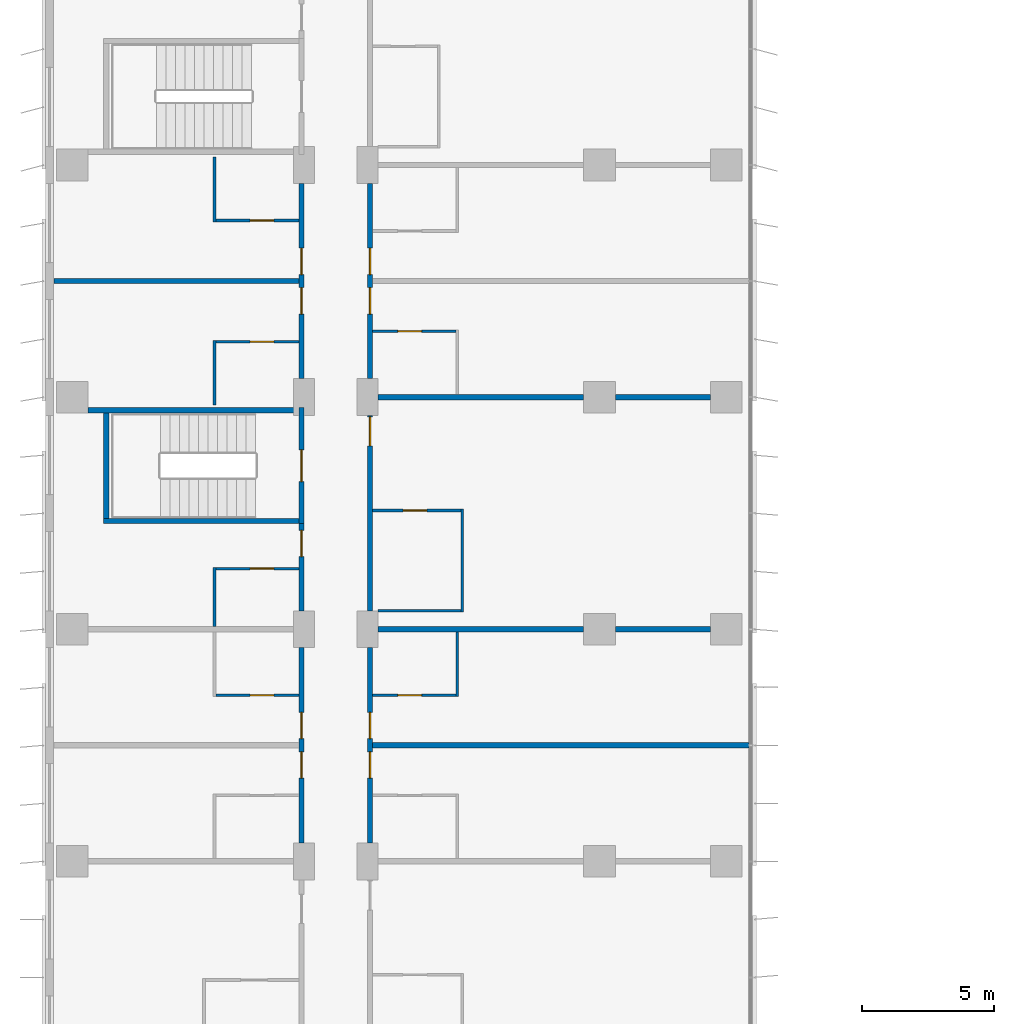
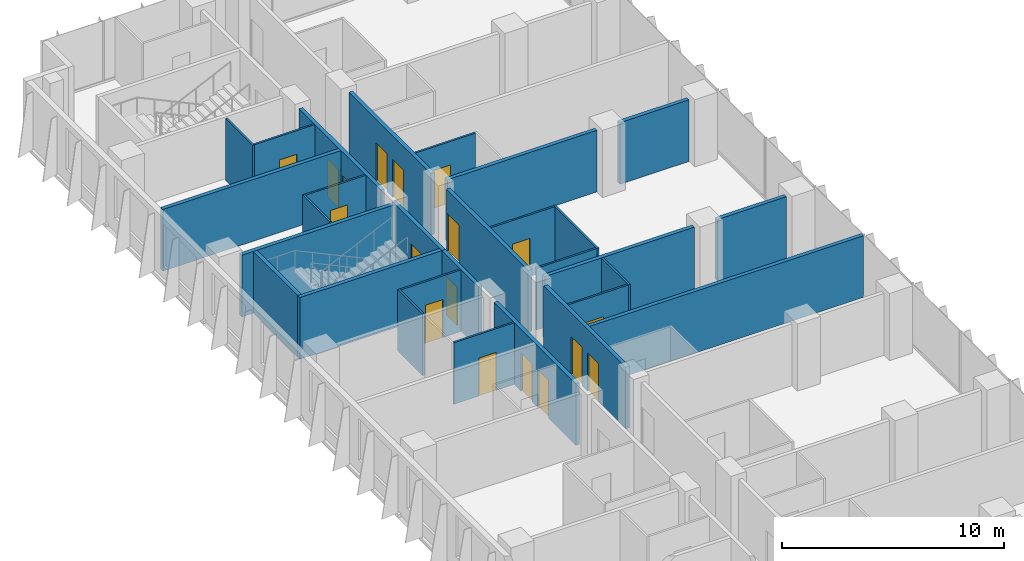
# One storey, part 17 of 23: 29 walls, 18 doors, 18 openings.
"""IFC4 building model written with IfcOpenShell, lengths in metres."""

from ifc_helpers import new_model, si_unit, direction, frame, frame_2d, origin, place, context, subcontext, project, spatial, rectangle, extrude, material, layer, layer_set, type_object, element, fill, save


model = new_model("IFC4")

# Units and contexts
model_context = context("Model", 3, precision=1e-05, world=origin(), true_north=direction((0.0, 1.0)))
body_context = subcontext(model_context, "Body", "Model", "MODEL_VIEW")
ifc_project = project(units=[si_unit("LENGTHUNIT", "METRE"), si_unit("AREAUNIT", "SQUARE_METRE"), si_unit("VOLUMEUNIT", "CUBIC_METRE"), si_unit("PLANEANGLEUNIT", "RADIAN"), si_unit("MASSUNIT", "GRAM", prefix="KILO")], contexts=[model_context])

# Site, building, storey
site_placement = place(None, origin())
site = spatial("IfcSite", under=ifc_project, at=site_placement, CompositionType="ELEMENT")
building_placement = place(site_placement, origin())
building = spatial("IfcBuilding", under=site, at=building_placement, Name="Kemantara Hotel Tower", CompositionType="ELEMENT")
storey_placement = place(building_placement, frame((0.0, 0.0, 118.5)))
storey = spatial("IfcBuildingStorey", under=building, at=storey_placement, Name="L28", CompositionType="ELEMENT", Elevation=118.5)

# Wall, openings, doors
ifc_material_1 = material(Name="Gypsum board partition, steel studs and mineral wool, 200 mm", Category="steel")
ifc_layer_1 = layer(ifc_material_1, 0.199951171875)
ifc_layer_set_1 = layer_set([ifc_layer_1], Name="Gypsum board partition, steel studs and mineral wool, 200 mm")
wall_type_1 = type_object("IfcWallType", Name="CORRIDOR WALL 200", PredefinedType="PARTITIONING", material=ifc_layer_set_1)
wall_1_placement = place(storey_placement, frame((9.699951171875, 45.7001953125, 0.0), z_axis=(0.0, 0.0, 1.0), x_axis=(0.0, 1.0, 0.0)))
wall_1 = element("IfcWall", 1, at=wall_1_placement, inside=storey, type_object=wall_type_1, Name="CORRIDOR WALL 200 023", PredefinedType="PARTITIONING", context=body_context, shape_type="SweptSolid", body=[
    extrude(rectangle(XDim=7.399658203125, YDim=0.199951171875, at=frame_2d((3.69970703125, 0.0))), origin(), (0.0, 0.0, 1.0), 3.39990234375),
])
opening_1_placement = place(wall_1_placement, frame((2.449951171875, 0.0, 0.0)))
opening_1 = element("IfcOpeningElement", 2, at=opening_1_placement, cuts=wall_1, Name="Opening F12-033", PredefinedType="OPENING", context=body_context, shape_type="SweptSolid", body=[
    extrude(rectangle(XDim=1.0, YDim=2.10009765625, at=frame_2d((0.5, 1.050048828125))), frame((0.0, 0.10986328125, 0.0), z_axis=(0.0, -1.0, 0.0), x_axis=(1.0, 0.0, 0.0)), (0.0, 0.0, 1.0), 0.219970703125),
])
opening_2_placement = place(wall_1_placement, frame((3.949951171875, 0.0, 0.0)))
opening_2 = element("IfcOpeningElement", 3, at=opening_2_placement, cuts=wall_1, Name="Opening F12-035", PredefinedType="OPENING", context=body_context, shape_type="SweptSolid", body=[
    extrude(rectangle(XDim=1.0, YDim=2.10009765625, at=frame_2d((0.5, 1.050048828125))), frame((0.0, 0.10986328125, 0.0), z_axis=(0.0, -1.0, 0.0), x_axis=(1.0, 0.0, 0.0)), (0.0, 0.0, 1.0), 0.219970703125),
])
ifc_material_2 = material(Name="Hardwood veneer door leaf with steel frame", Category="steel")
door_type_1 = type_object("IfcDoorType", Name="GUEST ROOM DOOR 1000 X 2100 FD30S", OperationType="NOTDEFINED", PredefinedType="DOOR", material=ifc_material_2)
door_1_placement = place(opening_1_placement, origin())
door_1 = element("IfcDoor", 4, at=door_1_placement, inside=storey, type_object=door_type_1, Name="GUEST ROOM DOOR F12-033", OperationType="SINGLE_SWING_RIGHT", OverallHeight=2.10009765625, OverallWidth=1.0, PredefinedType="DOOR", context=body_context, shape_type="SweptSolid", body=[
    extrude(rectangle(XDim=1.0, YDim=2.10009765625, at=frame_2d((0.5, 1.050048828125))), frame((0.0, 0.02490234375, 0.0), z_axis=(0.0, -1.0, 0.0), x_axis=(1.0, 0.0, 0.0)), (0.0, 0.0, 1.0), 0.050048828125),
])
fill(opening_1, door_1)
door_2_placement = place(opening_2_placement, origin())
door_2 = element("IfcDoor", 5, at=door_2_placement, inside=storey, type_object=door_type_1, Name="GUEST ROOM DOOR F12-035", OperationType="SINGLE_SWING_LEFT", OverallHeight=2.10009765625, OverallWidth=1.0, PredefinedType="DOOR", context=body_context, shape_type="SweptSolid", body=[
    extrude(rectangle(XDim=1.0, YDim=2.10009765625, at=frame_2d((0.5, 1.050048828125))), frame((0.0, 0.02490234375, 0.0), z_axis=(0.0, -1.0, 0.0), x_axis=(1.0, 0.0, 0.0)), (0.0, 0.0, 1.0), 0.050048828125),
])
fill(opening_2, door_2)

# Wall, opening, door
wall_2_placement = place(storey_placement, frame((9.699951171875, 54.5, 0.0), z_axis=(0.0, 0.0, 1.0), x_axis=(0.0, 1.0, 0.0)))
wall_2 = element("IfcWall", 6, at=wall_2_placement, inside=storey, type_object=wall_type_1, Name="CORRIDOR WALL 200 024", PredefinedType="PARTITIONING", context=body_context, shape_type="SweptSolid", body=[
    extrude(rectangle(XDim=3.300048828125, YDim=0.199951171875, at=frame_2d((1.64990234375, 0.0))), origin(), (0.0, 0.0, 1.0), 3.39990234375),
])
opening_3_placement = place(wall_2_placement, frame((2.0498046875, 0.0, 0.0)))
opening_3 = element("IfcOpeningElement", 7, at=opening_3_placement, cuts=wall_2, Name="Opening F12-037", PredefinedType="OPENING", context=body_context, shape_type="SweptSolid", body=[
    extrude(rectangle(XDim=1.0, YDim=2.10009765625, at=frame_2d((0.5, 1.050048828125))), frame((0.0, 0.10986328125, 0.0), z_axis=(0.0, -1.0, 0.0), x_axis=(1.0, 0.0, 0.0)), (0.0, 0.0, 1.0), 0.219970703125),
])
door_3_placement = place(opening_3_placement, origin())
door_3 = element("IfcDoor", 8, at=door_3_placement, inside=storey, type_object=door_type_1, Name="GUEST ROOM DOOR F12-037", OperationType="SINGLE_SWING_RIGHT", OverallHeight=2.10009765625, OverallWidth=1.0, PredefinedType="DOOR", context=body_context, shape_type="SweptSolid", body=[
    extrude(rectangle(XDim=1.0, YDim=2.10009765625, at=frame_2d((0.5, 1.050048828125))), frame((0.0, 0.02490234375, 0.0), z_axis=(0.0, -1.0, 0.0), x_axis=(1.0, 0.0, 0.0)), (0.0, 0.0, 1.0), 0.050048828125),
])
fill(opening_3, door_3)

# Wall, openings, doors
wall_3_placement = place(storey_placement, frame((9.699951171875, 63.300048828125, 0.0), z_axis=(0.0, 0.0, 1.0), x_axis=(0.0, 1.0, 0.0)))
wall_3 = element("IfcWall", 9, at=wall_3_placement, inside=storey, type_object=wall_type_1, Name="CORRIDOR WALL 200 025", PredefinedType="PARTITIONING", context=body_context, shape_type="SweptSolid", body=[
    extrude(rectangle(XDim=7.39990234375, YDim=0.199951171875, at=frame_2d((3.699951171875, 0.0))), origin(), (0.0, 0.0, 1.0), 3.39990234375),
])
opening_4_placement = place(wall_3_placement, frame((2.449951171875, 0.0, 0.0)))
opening_4 = element("IfcOpeningElement", 10, at=opening_4_placement, cuts=wall_3, Name="Opening F12-039", PredefinedType="OPENING", context=body_context, shape_type="SweptSolid", body=[
    extrude(rectangle(XDim=1.0, YDim=2.10009765625, at=frame_2d((0.5, 1.050048828125))), frame((0.0, 0.10986328125, 0.0), z_axis=(0.0, -1.0, 0.0), x_axis=(1.0, 0.0, 0.0)), (0.0, 0.0, 1.0), 0.219970703125),
])
opening_5_placement = place(wall_3_placement, frame((3.949951171875, 0.0, 0.0)))
opening_5 = element("IfcOpeningElement", 11, at=opening_5_placement, cuts=wall_3, Name="Opening F12-041", PredefinedType="OPENING", context=body_context, shape_type="SweptSolid", body=[
    extrude(rectangle(XDim=1.0, YDim=2.10009765625, at=frame_2d((0.5, 1.050048828125))), frame((0.0, 0.10986328125, 0.0), z_axis=(0.0, -1.0, 0.0), x_axis=(1.0, 0.0, 0.0)), (0.0, 0.0, 1.0), 0.219970703125),
])
door_4_placement = place(opening_4_placement, origin())
door_4 = element("IfcDoor", 12, at=door_4_placement, inside=storey, type_object=door_type_1, Name="GUEST ROOM DOOR F12-039", OperationType="SINGLE_SWING_RIGHT", OverallHeight=2.10009765625, OverallWidth=1.0, PredefinedType="DOOR", context=body_context, shape_type="SweptSolid", body=[
    extrude(rectangle(XDim=1.0, YDim=2.10009765625, at=frame_2d((0.5, 1.050048828125))), frame((0.0, 0.02490234375, 0.0), z_axis=(0.0, -1.0, 0.0), x_axis=(1.0, 0.0, 0.0)), (0.0, 0.0, 1.0), 0.050048828125),
])
fill(opening_4, door_4)
door_5_placement = place(opening_5_placement, origin())
door_5 = element("IfcDoor", 13, at=door_5_placement, inside=storey, type_object=door_type_1, Name="GUEST ROOM DOOR F12-041", OperationType="SINGLE_SWING_LEFT", OverallHeight=2.10009765625, OverallWidth=1.0, PredefinedType="DOOR", context=body_context, shape_type="SweptSolid", body=[
    extrude(rectangle(XDim=1.0, YDim=2.10009765625, at=frame_2d((0.5, 1.050048828125))), frame((0.0, 0.02490234375, 0.0), z_axis=(0.0, -1.0, 0.0), x_axis=(1.0, 0.0, 0.0)), (0.0, 0.0, 1.0), 0.050048828125),
])
fill(opening_5, door_5)

wall_4_placement = place(storey_placement, frame((12.300048828125, 53.099853515625, 0.0), z_axis=(0.0, 0.0, 1.0), x_axis=(0.0, -1.0, 0.0)))
wall_4 = element("IfcWall", 14, at=wall_4_placement, inside=storey, type_object=wall_type_1, Name="CORRIDOR WALL 200 047", PredefinedType="PARTITIONING", context=body_context, shape_type="SweptSolid", body=[
    extrude(rectangle(XDim=7.399658203125, YDim=0.199951171875, at=frame_2d((3.69970703125, 0.0))), origin(), (0.0, 0.0, 1.0), 3.39990234375),
])
opening_6_placement = place(wall_4_placement, frame((3.949951171875, 0.0, 0.0)))
opening_6 = element("IfcOpeningElement", 15, at=opening_6_placement, cuts=wall_4, Name="Opening F12-051", PredefinedType="OPENING", context=body_context, shape_type="SweptSolid", body=[
    extrude(rectangle(XDim=1.0, YDim=2.10009765625, at=frame_2d((0.5, 1.050048828125))), frame((0.0, 0.10986328125, 0.0), z_axis=(0.0, -1.0, 0.0), x_axis=(1.0, 0.0, 0.0)), (0.0, 0.0, 1.0), 0.219970703125),
])
opening_7_placement = place(wall_4_placement, frame((2.449951171875, 0.0, 0.0)))
opening_7 = element("IfcOpeningElement", 16, at=opening_7_placement, cuts=wall_4, Name="Opening F12-053", PredefinedType="OPENING", context=body_context, shape_type="SweptSolid", body=[
    extrude(rectangle(XDim=1.0, YDim=2.10009765625, at=frame_2d((0.5, 1.050048828125))), frame((0.0, 0.10986328125, 0.0), z_axis=(0.0, -1.0, 0.0), x_axis=(1.0, 0.0, 0.0)), (0.0, 0.0, 1.0), 0.219970703125),
])
door_6_placement = place(opening_6_placement, origin())
door_6 = element("IfcDoor", 17, at=door_6_placement, inside=storey, type_object=door_type_1, Name="GUEST ROOM DOOR F12-051", OperationType="SINGLE_SWING_LEFT", OverallHeight=2.10009765625, OverallWidth=1.0, PredefinedType="DOOR", context=body_context, shape_type="SweptSolid", body=[
    extrude(rectangle(XDim=1.0, YDim=2.10009765625, at=frame_2d((0.5, 1.050048828125))), frame((0.0, 0.02490234375, 0.0), z_axis=(0.0, -1.0, 0.0), x_axis=(1.0, 0.0, 0.0)), (0.0, 0.0, 1.0), 0.050048828125),
])
fill(opening_6, door_6)
door_7_placement = place(opening_7_placement, origin())
door_7 = element("IfcDoor", 18, at=door_7_placement, inside=storey, type_object=door_type_1, Name="GUEST ROOM DOOR F12-053", OperationType="SINGLE_SWING_RIGHT", OverallHeight=2.10009765625, OverallWidth=1.0, PredefinedType="DOOR", context=body_context, shape_type="SweptSolid", body=[
    extrude(rectangle(XDim=1.0, YDim=2.10009765625, at=frame_2d((0.5, 1.050048828125))), frame((0.0, 0.02490234375, 0.0), z_axis=(0.0, -1.0, 0.0), x_axis=(1.0, 0.0, 0.0)), (0.0, 0.0, 1.0), 0.050048828125),
])
fill(opening_7, door_7)

# Wall, opening, door
wall_5_placement = place(storey_placement, frame((12.300048828125, 61.89990234375, 0.0), z_axis=(0.0, 0.0, 1.0), x_axis=(0.0, -1.0, 0.0)))
wall_5 = element("IfcWall", 19, at=wall_5_placement, inside=storey, type_object=wall_type_1, Name="CORRIDOR WALL 200 048", PredefinedType="PARTITIONING", context=body_context, shape_type="SweptSolid", body=[
    extrude(rectangle(XDim=7.39990234375, YDim=0.199951171875, at=frame_2d((3.699951171875, 0.0))), origin(), (0.0, 0.0, 1.0), 3.39990234375),
])
opening_8_placement = place(wall_5_placement, frame((0.0498046875, 0.0, 0.0)))
opening_8 = element("IfcOpeningElement", 20, at=opening_8_placement, cuts=wall_5, Name="Opening F12-055", PredefinedType="OPENING", context=body_context, shape_type="SweptSolid", body=[
    extrude(rectangle(XDim=1.10009765625, YDim=2.10009765625, at=frame_2d((0.550048828125, 1.050048828125))), frame((0.0, 0.10986328125, 0.0), z_axis=(0.0, -1.0, 0.0), x_axis=(1.0, 0.0, 0.0)), (0.0, 0.0, 1.0), 0.219970703125),
])
door_type_2 = type_object("IfcDoorType", Name="SUITE ENTRANCE DOOR 1100 X 2100 FD30S", OperationType="NOTDEFINED", PredefinedType="DOOR", material=ifc_material_2)
door_8_placement = place(opening_8_placement, origin())
door_8 = element("IfcDoor", 21, at=door_8_placement, inside=storey, type_object=door_type_2, Name="SUITE ENTRANCE DOOR F12-055", OperationType="SINGLE_SWING_LEFT", OverallHeight=2.10009765625, OverallWidth=1.10009765625, PredefinedType="DOOR", context=body_context, shape_type="SweptSolid", body=[
    extrude(rectangle(XDim=1.10009765625, YDim=2.10009765625, at=frame_2d((0.550048828125, 1.050048828125))), frame((0.0, 0.02490234375, 0.0), z_axis=(0.0, -1.0, 0.0), x_axis=(1.0, 0.0, 0.0)), (0.0, 0.0, 1.0), 0.050048828125),
])
fill(opening_8, door_8)

# Wall, openings, doors
wall_6_placement = place(storey_placement, frame((12.300048828125, 70.699951171875, 0.0), z_axis=(0.0, 0.0, 1.0), x_axis=(0.0, -1.0, 0.0)))
wall_6 = element("IfcWall", 22, at=wall_6_placement, inside=storey, type_object=wall_type_1, Name="CORRIDOR WALL 200 049", PredefinedType="PARTITIONING", context=body_context, shape_type="SweptSolid", body=[
    extrude(rectangle(XDim=7.39990234375, YDim=0.199951171875, at=frame_2d((3.699951171875, 0.0))), origin(), (0.0, 0.0, 1.0), 3.39990234375),
])
opening_9_placement = place(wall_6_placement, frame((3.949951171875, 0.0, 0.0)))
opening_9 = element("IfcOpeningElement", 23, at=opening_9_placement, cuts=wall_6, Name="Opening F12-057", PredefinedType="OPENING", context=body_context, shape_type="SweptSolid", body=[
    extrude(rectangle(XDim=1.0, YDim=2.10009765625, at=frame_2d((0.5, 1.050048828125))), frame((0.0, 0.10986328125, 0.0), z_axis=(0.0, -1.0, 0.0), x_axis=(1.0, 0.0, 0.0)), (0.0, 0.0, 1.0), 0.219970703125),
])
opening_10_placement = place(wall_6_placement, frame((2.449951171875, 0.0, 0.0)))
opening_10 = element("IfcOpeningElement", 24, at=opening_10_placement, cuts=wall_6, Name="Opening F12-059", PredefinedType="OPENING", context=body_context, shape_type="SweptSolid", body=[
    extrude(rectangle(XDim=1.0, YDim=2.10009765625, at=frame_2d((0.5, 1.050048828125))), frame((0.0, 0.10986328125, 0.0), z_axis=(0.0, -1.0, 0.0), x_axis=(1.0, 0.0, 0.0)), (0.0, 0.0, 1.0), 0.219970703125),
])
door_9_placement = place(opening_9_placement, origin())
door_9 = element("IfcDoor", 25, at=door_9_placement, inside=storey, type_object=door_type_1, Name="GUEST ROOM DOOR F12-057", OperationType="SINGLE_SWING_LEFT", OverallHeight=2.10009765625, OverallWidth=1.0, PredefinedType="DOOR", context=body_context, shape_type="SweptSolid", body=[
    extrude(rectangle(XDim=1.0, YDim=2.10009765625, at=frame_2d((0.5, 1.050048828125))), frame((0.0, 0.02490234375, 0.0), z_axis=(0.0, -1.0, 0.0), x_axis=(1.0, 0.0, 0.0)), (0.0, 0.0, 1.0), 0.050048828125),
])
fill(opening_9, door_9)
door_10_placement = place(opening_10_placement, origin())
door_10 = element("IfcDoor", 26, at=door_10_placement, inside=storey, type_object=door_type_1, Name="GUEST ROOM DOOR F12-059", OperationType="SINGLE_SWING_RIGHT", OverallHeight=2.10009765625, OverallWidth=1.0, PredefinedType="DOOR", context=body_context, shape_type="SweptSolid", body=[
    extrude(rectangle(XDim=1.0, YDim=2.10009765625, at=frame_2d((0.5, 1.050048828125))), frame((0.0, 0.02490234375, 0.0), z_axis=(0.0, -1.0, 0.0), x_axis=(1.0, 0.0, 0.0)), (0.0, 0.0, 1.0), 0.050048828125),
])
fill(opening_10, door_10)

# Wall, opening, door
ifc_material_3 = material(Name="Concrete fc 40 MPa", Category="concrete")
ifc_layer_2 = layer(ifc_material_3, 0.199951171875)
ifc_layer_set_2 = layer_set([ifc_layer_2], Name="Concrete fc 40 MPa")
wall_type_2 = type_object("IfcWallType", Name="Concrete stair wall 200 mm", PredefinedType="SHEAR", material=ifc_layer_set_2)
wall_7_placement = place(storey_placement, frame((9.699951171875, 57.800048828125, 0.0), z_axis=(0.0, 0.0, 1.0), x_axis=(0.0, 1.0, 0.0)))
wall_7 = element("IfcWall", 27, at=wall_7_placement, inside=storey, type_object=wall_type_2, Name="Stair ST4 enclosure wall with door", PredefinedType="SHEAR", context=body_context, shape_type="SweptSolid", body=[
    extrude(rectangle(XDim=4.39990234375, YDim=0.199951171875, at=frame_2d((2.199951171875, 0.0))), origin(), (0.0, 0.0, 1.0), 3.39990234375),
])
opening_11_placement = place(wall_7_placement, frame((1.60009765625, 0.0, 0.0)))
opening_11 = element("IfcOpeningElement", 28, at=opening_11_placement, cuts=wall_7, Name="Opening ST4-C", PredefinedType="OPENING", context=body_context, shape_type="SweptSolid", body=[
    extrude(rectangle(XDim=1.199951171875, YDim=2.10009765625, at=frame_2d((0.60009765625, 1.050048828125))), frame((0.0, 0.10986328125, 0.0), z_axis=(0.0, -1.0, 0.0), x_axis=(1.0, 0.0, 0.0)), (0.0, 0.0, 1.0), 0.219970703125),
])
ifc_material_4 = material(Name="Steel fire door", Category="steel")
door_type_3 = type_object("IfcDoorType", Name="Fire door FD90 1200 x 2100", OperationType="NOTDEFINED", PredefinedType="DOOR", material=ifc_material_4)
door_11_placement = place(opening_11_placement, origin())
door_11 = element("IfcDoor", 29, at=door_11_placement, inside=storey, type_object=door_type_3, Name="Stair ST4 door", OperationType="SINGLE_SWING_RIGHT", OverallHeight=2.10009765625, OverallWidth=1.199951171875, PredefinedType="DOOR", context=body_context, shape_type="SweptSolid", body=[
    extrude(rectangle(XDim=1.199951171875, YDim=2.10009765625, at=frame_2d((0.60009765625, 1.050048828125))), frame((0.0, 0.02490234375, 0.0), z_axis=(0.0, -1.0, 0.0), x_axis=(1.0, 0.0, 0.0)), (0.0, 0.0, 1.0), 0.050048828125),
])
fill(opening_11, door_11)

# Walls
wall_8_placement = place(storey_placement, frame((1.60009765625, 62.10009765625, 0.0), z_axis=(0.0, 0.0, 1.0), x_axis=(1.0, 0.0, 0.0)))
element("IfcWall", 30, at=wall_8_placement, inside=storey, type_object=wall_type_2, Name="Stair ST4 enclosure wall N", PredefinedType="SHEAR", context=body_context, shape_type="SweptSolid", body=[
    extrude(rectangle(XDim=8.0, YDim=0.199951171875, at=frame_2d((4.0, 0.0))), origin(), (0.0, 0.0, 1.0), 3.39990234375),
])
wall_9_placement = place(storey_placement, frame((2.199951171875, 57.89990234375, 0.0), z_axis=(0.0, 0.0, 1.0), x_axis=(1.0, 0.0, 0.0)))
element("IfcWall", 31, at=wall_9_placement, inside=storey, type_object=wall_type_2, Name="Stair ST4 enclosure wall S", PredefinedType="SHEAR", context=body_context, shape_type="SweptSolid", body=[
    extrude(rectangle(XDim=7.400146484375, YDim=0.199951171875, at=frame_2d((3.7001953125, 0.0))), origin(), (0.0, 0.0, 1.0), 3.39990234375),
])
wall_10_placement = place(storey_placement, frame((2.300048828125, 58.0, 0.0), z_axis=(0.0, 0.0, 1.0), x_axis=(0.0, 1.0, 0.0)))
element("IfcWall", 32, at=wall_10_placement, inside=storey, type_object=wall_type_2, Name="Stair ST4 enclosure wall W", PredefinedType="SHEAR", context=body_context, shape_type="SweptSolid", body=[
    extrude(rectangle(XDim=4.0, YDim=0.199951171875, at=frame_2d((2.0, 0.0))), origin(), (0.0, 0.0, 1.0), 3.39990234375),
])
ifc_layer_3 = layer(ifc_material_1, 0.199951171875)
ifc_layer_set_3 = layer_set([ifc_layer_3], Name="Gypsum board partition, steel studs and mineral wool, 200 mm")
wall_type_3 = type_object("IfcWallType", Name="GUEST ROOM PARTY WALL 200", PredefinedType="PARTITIONING", material=ifc_layer_set_3)
wall_11_placement = place(storey_placement, frame((12.39990234375, 49.39990234375, 0.0), z_axis=(0.0, 0.0, 1.0), x_axis=(1.0, 0.0, 0.0)))
element("IfcWall", 33, at=wall_11_placement, inside=storey, type_object=wall_type_3, Name="GUEST ROOM PARTY WALL 200 038", PredefinedType="PARTITIONING", context=body_context, shape_type="SweptSolid", body=[
    extrude(rectangle(XDim=14.27001953125, YDim=0.199951171875, at=frame_2d((7.135009765625, 0.0))), origin(), (0.0, 0.0, 1.0), 3.39990234375),
])
wall_12_placement = place(storey_placement, frame((12.60009765625, 53.800048828125, 0.0), z_axis=(0.0, 0.0, 1.0), x_axis=(1.0, 0.0, 0.0)))
element("IfcWall", 34, at=wall_12_placement, inside=storey, type_object=wall_type_3, Name="GUEST ROOM PARTY WALL 200 040", PredefinedType="PARTITIONING", context=body_context, shape_type="SweptSolid", body=[
    extrude(rectangle(XDim=7.7998046875, YDim=0.199951171875, at=frame_2d((3.89990234375, 0.0))), origin(), (0.0, 0.0, 1.0), 3.39990234375),
])
wall_13_placement = place(storey_placement, frame((21.60009765625, 53.800048828125, 0.0), z_axis=(0.0, 0.0, 1.0), x_axis=(1.0, 0.0, 0.0)))
element("IfcWall", 35, at=wall_13_placement, inside=storey, type_object=wall_type_3, Name="GUEST ROOM PARTY WALL 200 041", PredefinedType="PARTITIONING", context=body_context, shape_type="SweptSolid", body=[
    extrude(rectangle(XDim=3.599853515625, YDim=0.199951171875, at=frame_2d((1.7998046875, 0.0))), origin(), (0.0, 0.0, 1.0), 3.39990234375),
])
wall_14_placement = place(storey_placement, frame((0.31005859375, 67.0, 0.0), z_axis=(0.0, 0.0, 1.0), x_axis=(1.0, 0.0, 0.0)))
element("IfcWall", 36, at=wall_14_placement, inside=storey, type_object=wall_type_3, Name="GUEST ROOM PARTY WALL 200 042", PredefinedType="PARTITIONING", context=body_context, shape_type="SweptSolid", body=[
    extrude(rectangle(XDim=9.2900390625, YDim=0.199951171875, at=frame_2d((4.64501953125, 0.0))), origin(), (0.0, 0.0, 1.0), 3.39990234375),
])
wall_15_placement = place(storey_placement, frame((12.60009765625, 62.60009765625, 0.0), z_axis=(0.0, 0.0, 1.0), x_axis=(1.0, 0.0, 0.0)))
element("IfcWall", 37, at=wall_15_placement, inside=storey, type_object=wall_type_3, Name="GUEST ROOM PARTY WALL 200 053", PredefinedType="PARTITIONING", context=body_context, shape_type="SweptSolid", body=[
    extrude(rectangle(XDim=7.7998046875, YDim=0.199951171875, at=frame_2d((3.89990234375, 0.0))), origin(), (0.0, 0.0, 1.0), 3.39990234375),
])
wall_16_placement = place(storey_placement, frame((21.60009765625, 62.60009765625, 0.0), z_axis=(0.0, 0.0, 1.0), x_axis=(1.0, 0.0, 0.0)))
element("IfcWall", 38, at=wall_16_placement, inside=storey, type_object=wall_type_3, Name="GUEST ROOM PARTY WALL 200 054", PredefinedType="PARTITIONING", context=body_context, shape_type="SweptSolid", body=[
    extrude(rectangle(XDim=3.599853515625, YDim=0.199951171875, at=frame_2d((1.7998046875, 0.0))), origin(), (0.0, 0.0, 1.0), 3.39990234375),
])
ifc_material_5 = material(Name="Gypsum board partition on steel studs, 100 mm", Category="steel")
ifc_layer_4 = layer(ifc_material_5, 0.10009765625)
ifc_layer_set_4 = layer_set([ifc_layer_4], Name="Gypsum board partition on steel studs, 100 mm")
wall_type_4 = type_object("IfcWallType", Name="ROOM PARTITION 100", PredefinedType="PARTITIONING", material=ifc_layer_set_4)
wall_17_placement = place(storey_placement, frame((6.39990234375, 53.89990234375, 0.0), z_axis=(0.0, 0.0, 1.0), x_axis=(0.0, 1.0, 0.0)))
element("IfcWall", 39, at=wall_17_placement, inside=storey, type_object=wall_type_4, Name="ROOM PARTITION 100 086", PredefinedType="PARTITIONING", context=body_context, shape_type="SweptSolid", body=[
    extrude(rectangle(XDim=2.25, YDim=0.10009765625, at=frame_2d((1.125, 0.0))), origin(), (0.0, 0.0, 1.0), 3.39990234375),
])
for number, where, z_axis, x_axis, name in (
    (40, (6.39990234375, 62.300048828125, 0.0), (0.0, 0.0, 1.0), (0.0, 1.0, 0.0), "ROOM PARTITION 100 087"),
    (41, (6.39990234375, 69.25, 0.0), (0.0, 0.0, 1.0), (0.0, 1.0, 0.0), "ROOM PARTITION 100 088"),
):
    element("IfcWall", number, at=place(storey_placement, frame(where, z_axis=z_axis, x_axis=x_axis)), inside=storey, type_object=wall_type_4, Name=name, PredefinedType="PARTITIONING", context=body_context, shape_type="SweptSolid", body=[
        extrude(rectangle(XDim=2.449951171875, YDim=0.10009765625, at=frame_2d((1.22509765625, 0.0))), origin(), (0.0, 0.0, 1.0), 3.39990234375),
    ])

# Wall, opening, door
wall_18_placement = place(storey_placement, frame((6.449951171875, 51.300048828125, 0.0), z_axis=(0.0, 0.0, 1.0), x_axis=(1.0, 0.0, 0.0)))
wall_18 = element("IfcWall", 42, at=wall_18_placement, inside=storey, type_object=wall_type_4, Name="ROOM PARTITION 100 101", PredefinedType="PARTITIONING", context=body_context, shape_type="SweptSolid", body=[
    extrude(rectangle(XDim=3.150146484375, YDim=0.10009765625, at=frame_2d((1.5751953125, 0.0))), origin(), (0.0, 0.0, 1.0), 3.39990234375),
])
opening_12_placement = place(wall_18_placement, frame((1.300048828125, 0.0, 0.0)))
opening_12 = element("IfcOpeningElement", 43, at=opening_12_placement, cuts=wall_18, Name="Opening F12-036", PredefinedType="OPENING", context=body_context, shape_type="SweptSolid", body=[
    extrude(rectangle(XDim=0.89990234375, YDim=2.10009765625, at=frame_2d((0.449951171875, 1.050048828125))), frame((0.0, 0.06005859375, 0.0), z_axis=(0.0, -1.0, 0.0), x_axis=(1.0, 0.0, 0.0)), (0.0, 0.0, 1.0), 0.1201171875),
])
door_type_4 = type_object("IfcDoorType", Name="BATHROOM DOOR 900 X 2100", OperationType="NOTDEFINED", PredefinedType="DOOR", material=ifc_material_2)
door_12_placement = place(opening_12_placement, origin())
door_12 = element("IfcDoor", 44, at=door_12_placement, inside=storey, type_object=door_type_4, Name="BATHROOM DOOR F12-036", OperationType="SINGLE_SWING_RIGHT", OverallHeight=2.10009765625, OverallWidth=0.89990234375, PredefinedType="DOOR", context=body_context, shape_type="SweptSolid", body=[
    extrude(rectangle(XDim=0.89990234375, YDim=2.10009765625, at=frame_2d((0.449951171875, 1.050048828125))), frame((0.0, 0.02490234375, 0.0), z_axis=(0.0, -1.0, 0.0), x_axis=(1.0, 0.0, 0.0)), (0.0, 0.0, 1.0), 0.050048828125),
])
fill(opening_12, door_12)

wall_19_placement = place(storey_placement, frame((12.39990234375, 51.300048828125, 0.0), z_axis=(0.0, 0.0, 1.0), x_axis=(1.0, 0.0, 0.0)))
wall_19 = element("IfcWall", 45, at=wall_19_placement, inside=storey, type_object=wall_type_4, Name="ROOM PARTITION 100 102", PredefinedType="PARTITIONING", context=body_context, shape_type="SweptSolid", body=[
    extrude(rectangle(XDim=3.150146484375, YDim=0.10009765625, at=frame_2d((1.5751953125, 0.0))), origin(), (0.0, 0.0, 1.0), 3.39990234375),
])
opening_13_placement = place(wall_19_placement, frame((0.949951171875, 0.0, 0.0)))
opening_13 = element("IfcOpeningElement", 46, at=opening_13_placement, cuts=wall_19, Name="Opening F12-054", PredefinedType="OPENING", context=body_context, shape_type="SweptSolid", body=[
    extrude(rectangle(XDim=0.89990234375, YDim=2.10009765625, at=frame_2d((0.449951171875, 1.050048828125))), frame((0.0, 0.06005859375, 0.0), z_axis=(0.0, -1.0, 0.0), x_axis=(1.0, 0.0, 0.0)), (0.0, 0.0, 1.0), 0.1201171875),
])
door_13_placement = place(opening_13_placement, origin())
door_13 = element("IfcDoor", 47, at=door_13_placement, inside=storey, type_object=door_type_4, Name="BATHROOM DOOR F12-054", OperationType="SINGLE_SWING_LEFT", OverallHeight=2.10009765625, OverallWidth=0.89990234375, PredefinedType="DOOR", context=body_context, shape_type="SweptSolid", body=[
    extrude(rectangle(XDim=0.89990234375, YDim=2.10009765625, at=frame_2d((0.449951171875, 1.050048828125))), frame((0.0, 0.02490234375, 0.0), z_axis=(0.0, -1.0, 0.0), x_axis=(1.0, 0.0, 0.0)), (0.0, 0.0, 1.0), 0.050048828125),
])
fill(opening_13, door_13)

wall_20_placement = place(storey_placement, frame((9.60009765625, 56.10009765625, 0.0), z_axis=(0.0, 0.0, 1.0), x_axis=(-1.0, 0.0, 0.0)))
wall_20 = element("IfcWall", 48, at=wall_20_placement, inside=storey, type_object=wall_type_4, Name="ROOM PARTITION 100 103", PredefinedType="PARTITIONING", context=body_context, shape_type="SweptSolid", body=[
    extrude(rectangle(XDim=3.150146484375, YDim=0.10009765625, at=frame_2d((1.5751953125, 0.0))), origin(), (0.0, 0.0, 1.0), 3.39990234375),
])
opening_14_placement = place(wall_20_placement, frame((0.949951171875, 0.0, 0.0)))
opening_14 = element("IfcOpeningElement", 49, at=opening_14_placement, cuts=wall_20, Name="Opening F12-038", PredefinedType="OPENING", context=body_context, shape_type="SweptSolid", body=[
    extrude(rectangle(XDim=0.89990234375, YDim=2.10009765625, at=frame_2d((0.449951171875, 1.050048828125))), frame((0.0, 0.06005859375, 0.0), z_axis=(0.0, -1.0, 0.0), x_axis=(1.0, 0.0, 0.0)), (0.0, 0.0, 1.0), 0.1201171875),
])
door_14_placement = place(opening_14_placement, origin())
door_14 = element("IfcDoor", 50, at=door_14_placement, inside=storey, type_object=door_type_4, Name="BATHROOM DOOR F12-038", OperationType="SINGLE_SWING_LEFT", OverallHeight=2.10009765625, OverallWidth=0.89990234375, PredefinedType="DOOR", context=body_context, shape_type="SweptSolid", body=[
    extrude(rectangle(XDim=0.89990234375, YDim=2.10009765625, at=frame_2d((0.449951171875, 1.050048828125))), frame((0.0, 0.02490234375, 0.0), z_axis=(0.0, -1.0, 0.0), x_axis=(1.0, 0.0, 0.0)), (0.0, 0.0, 1.0), 0.050048828125),
])
fill(opening_14, door_14)

wall_21_placement = place(storey_placement, frame((9.60009765625, 64.699951171875, 0.0), z_axis=(0.0, 0.0, 1.0), x_axis=(-1.0, 0.0, 0.0)))
wall_21 = element("IfcWall", 51, at=wall_21_placement, inside=storey, type_object=wall_type_4, Name="ROOM PARTITION 100 104", PredefinedType="PARTITIONING", context=body_context, shape_type="SweptSolid", body=[
    extrude(rectangle(XDim=3.150146484375, YDim=0.10009765625, at=frame_2d((1.5751953125, 0.0))), origin(), (0.0, 0.0, 1.0), 3.39990234375),
])
opening_15_placement = place(wall_21_placement, frame((0.949951171875, 0.0, 0.0)))
opening_15 = element("IfcOpeningElement", 52, at=opening_15_placement, cuts=wall_21, Name="Opening F12-040", PredefinedType="OPENING", context=body_context, shape_type="SweptSolid", body=[
    extrude(rectangle(XDim=0.89990234375, YDim=2.10009765625, at=frame_2d((0.449951171875, 1.050048828125))), frame((0.0, 0.06005859375, 0.0), z_axis=(0.0, -1.0, 0.0), x_axis=(1.0, 0.0, 0.0)), (0.0, 0.0, 1.0), 0.1201171875),
])
door_15_placement = place(opening_15_placement, origin())
door_15 = element("IfcDoor", 53, at=door_15_placement, inside=storey, type_object=door_type_4, Name="BATHROOM DOOR F12-040", OperationType="SINGLE_SWING_LEFT", OverallHeight=2.10009765625, OverallWidth=0.89990234375, PredefinedType="DOOR", context=body_context, shape_type="SweptSolid", body=[
    extrude(rectangle(XDim=0.89990234375, YDim=2.10009765625, at=frame_2d((0.449951171875, 1.050048828125))), frame((0.0, 0.02490234375, 0.0), z_axis=(0.0, -1.0, 0.0), x_axis=(1.0, 0.0, 0.0)), (0.0, 0.0, 1.0), 0.050048828125),
])
fill(opening_15, door_15)

wall_22_placement = place(storey_placement, frame((6.449951171875, 69.300048828125, 0.0), z_axis=(0.0, 0.0, 1.0), x_axis=(1.0, 0.0, 0.0)))
wall_22 = element("IfcWall", 54, at=wall_22_placement, inside=storey, type_object=wall_type_4, Name="ROOM PARTITION 100 105", PredefinedType="PARTITIONING", context=body_context, shape_type="SweptSolid", body=[
    extrude(rectangle(XDim=3.150146484375, YDim=0.10009765625, at=frame_2d((1.5751953125, 0.0))), origin(), (0.0, 0.0, 1.0), 3.39990234375),
])
opening_16_placement = place(wall_22_placement, frame((1.300048828125, 0.0, 0.0)))
opening_16 = element("IfcOpeningElement", 55, at=opening_16_placement, cuts=wall_22, Name="Opening F12-042", PredefinedType="OPENING", context=body_context, shape_type="SweptSolid", body=[
    extrude(rectangle(XDim=0.89990234375, YDim=2.10009765625, at=frame_2d((0.449951171875, 1.050048828125))), frame((0.0, 0.06005859375, 0.0), z_axis=(0.0, -1.0, 0.0), x_axis=(1.0, 0.0, 0.0)), (0.0, 0.0, 1.0), 0.1201171875),
])
door_16_placement = place(opening_16_placement, origin())
door_16 = element("IfcDoor", 56, at=door_16_placement, inside=storey, type_object=door_type_4, Name="BATHROOM DOOR F12-042", OperationType="SINGLE_SWING_RIGHT", OverallHeight=2.10009765625, OverallWidth=0.89990234375, PredefinedType="DOOR", context=body_context, shape_type="SweptSolid", body=[
    extrude(rectangle(XDim=0.89990234375, YDim=2.10009765625, at=frame_2d((0.449951171875, 1.050048828125))), frame((0.0, 0.02490234375, 0.0), z_axis=(0.0, -1.0, 0.0), x_axis=(1.0, 0.0, 0.0)), (0.0, 0.0, 1.0), 0.050048828125),
])
fill(opening_16, door_16)

# Walls
wall_23_placement = place(storey_placement, frame((15.800048828125, 54.449951171875, 0.0), z_axis=(0.0, 0.0, 1.0), x_axis=(0.0, 1.0, 0.0)))
element("IfcWall", 57, at=wall_23_placement, inside=storey, type_object=wall_type_4, Name="ROOM PARTITION 100 109", PredefinedType="PARTITIONING", context=body_context, shape_type="SweptSolid", body=[
    extrude(rectangle(XDim=3.900146484375, YDim=0.10009765625, at=frame_2d((1.9501953125, 0.0))), origin(), (0.0, 0.0, 1.0), 3.39990234375),
])
wall_24_placement = place(storey_placement, frame((15.60009765625, 51.25, 0.0), z_axis=(0.0, 0.0, 1.0), x_axis=(0.0, 1.0, 0.0)))
element("IfcWall", 58, at=wall_24_placement, inside=storey, type_object=wall_type_4, Name="ROOM PARTITION 100 112", PredefinedType="PARTITIONING", context=body_context, shape_type="SweptSolid", body=[
    extrude(rectangle(XDim=2.449951171875, YDim=0.10009765625, at=frame_2d((1.22509765625, 0.0))), origin(), (0.0, 0.0, 1.0), 3.39990234375),
])
wall_25_placement = place(storey_placement, frame((12.60009765625, 54.5, 0.0), z_axis=(0.0, 0.0, 1.0), x_axis=(1.0, 0.0, 0.0)))
element("IfcWall", 59, at=wall_25_placement, inside=storey, type_object=wall_type_4, Name="ROOM PARTITION 100 116", PredefinedType="PARTITIONING", context=body_context, shape_type="SweptSolid", body=[
    extrude(rectangle(XDim=3.14990234375, YDim=0.10009765625, at=frame_2d((1.574951171875, 0.0))), origin(), (0.0, 0.0, 1.0), 3.39990234375),
])

# Wall, opening, door
wall_26_placement = place(storey_placement, frame((15.75, 58.300048828125, 0.0), z_axis=(0.0, 0.0, 1.0), x_axis=(-1.0, 0.0, 0.0)))
wall_26 = element("IfcWall", 60, at=wall_26_placement, inside=storey, type_object=wall_type_4, Name="ROOM PARTITION 100 117", PredefinedType="PARTITIONING", context=body_context, shape_type="SweptSolid", body=[
    extrude(rectangle(XDim=3.35009765625, YDim=0.10009765625, at=frame_2d((1.675048828125, 0.0))), origin(), (0.0, 0.0, 1.0), 3.39990234375),
])
opening_17_placement = place(wall_26_placement, frame((1.300048828125, 0.0, 0.0)))
opening_17 = element("IfcOpeningElement", 61, at=opening_17_placement, cuts=wall_26, Name="Opening F12-056", PredefinedType="OPENING", context=body_context, shape_type="SweptSolid", body=[
    extrude(rectangle(XDim=0.89990234375, YDim=2.10009765625, at=frame_2d((0.449951171875, 1.050048828125))), frame((0.0, 0.06005859375, 0.0), z_axis=(0.0, -1.0, 0.0), x_axis=(1.0, 0.0, 0.0)), (0.0, 0.0, 1.0), 0.1201171875),
])
door_17_placement = place(opening_17_placement, origin())
door_17 = element("IfcDoor", 62, at=door_17_placement, inside=storey, type_object=door_type_4, Name="BATHROOM DOOR F12-056", OperationType="SINGLE_SWING_RIGHT", OverallHeight=2.10009765625, OverallWidth=0.89990234375, PredefinedType="DOOR", context=body_context, shape_type="SweptSolid", body=[
    extrude(rectangle(XDim=0.89990234375, YDim=2.10009765625, at=frame_2d((0.449951171875, 1.050048828125))), frame((0.0, 0.02490234375, 0.0), z_axis=(0.0, -1.0, 0.0), x_axis=(1.0, 0.0, 0.0)), (0.0, 0.0, 1.0), 0.050048828125),
])
fill(opening_17, door_17)

wall_27_placement = place(storey_placement, frame((15.550048828125, 65.10009765625, 0.0), z_axis=(0.0, 0.0, 1.0), x_axis=(-1.0, 0.0, 0.0)))
wall_27 = element("IfcWall", 63, at=wall_27_placement, inside=storey, type_object=wall_type_4, Name="ROOM PARTITION 100 118", PredefinedType="PARTITIONING", context=body_context, shape_type="SweptSolid", body=[
    extrude(rectangle(XDim=3.150146484375, YDim=0.10009765625, at=frame_2d((1.5751953125, 0.0))), origin(), (0.0, 0.0, 1.0), 3.39990234375),
])
opening_18_placement = place(wall_27_placement, frame((1.300048828125, 0.0, 0.0)))
opening_18 = element("IfcOpeningElement", 64, at=opening_18_placement, cuts=wall_27, Name="Opening F12-058", PredefinedType="OPENING", context=body_context, shape_type="SweptSolid", body=[
    extrude(rectangle(XDim=0.89990234375, YDim=2.10009765625, at=frame_2d((0.449951171875, 1.050048828125))), frame((0.0, 0.06005859375, 0.0), z_axis=(0.0, -1.0, 0.0), x_axis=(1.0, 0.0, 0.0)), (0.0, 0.0, 1.0), 0.1201171875),
])
door_18_placement = place(opening_18_placement, origin())
door_18 = element("IfcDoor", 65, at=door_18_placement, inside=storey, type_object=door_type_4, Name="BATHROOM DOOR F12-058", OperationType="SINGLE_SWING_RIGHT", OverallHeight=2.10009765625, OverallWidth=0.89990234375, PredefinedType="DOOR", context=body_context, shape_type="SweptSolid", body=[
    extrude(rectangle(XDim=0.89990234375, YDim=2.10009765625, at=frame_2d((0.449951171875, 1.050048828125))), frame((0.0, 0.02490234375, 0.0), z_axis=(0.0, -1.0, 0.0), x_axis=(1.0, 0.0, 0.0)), (0.0, 0.0, 1.0), 0.050048828125),
])
fill(opening_18, door_18)

save(model, "model.ifc")
